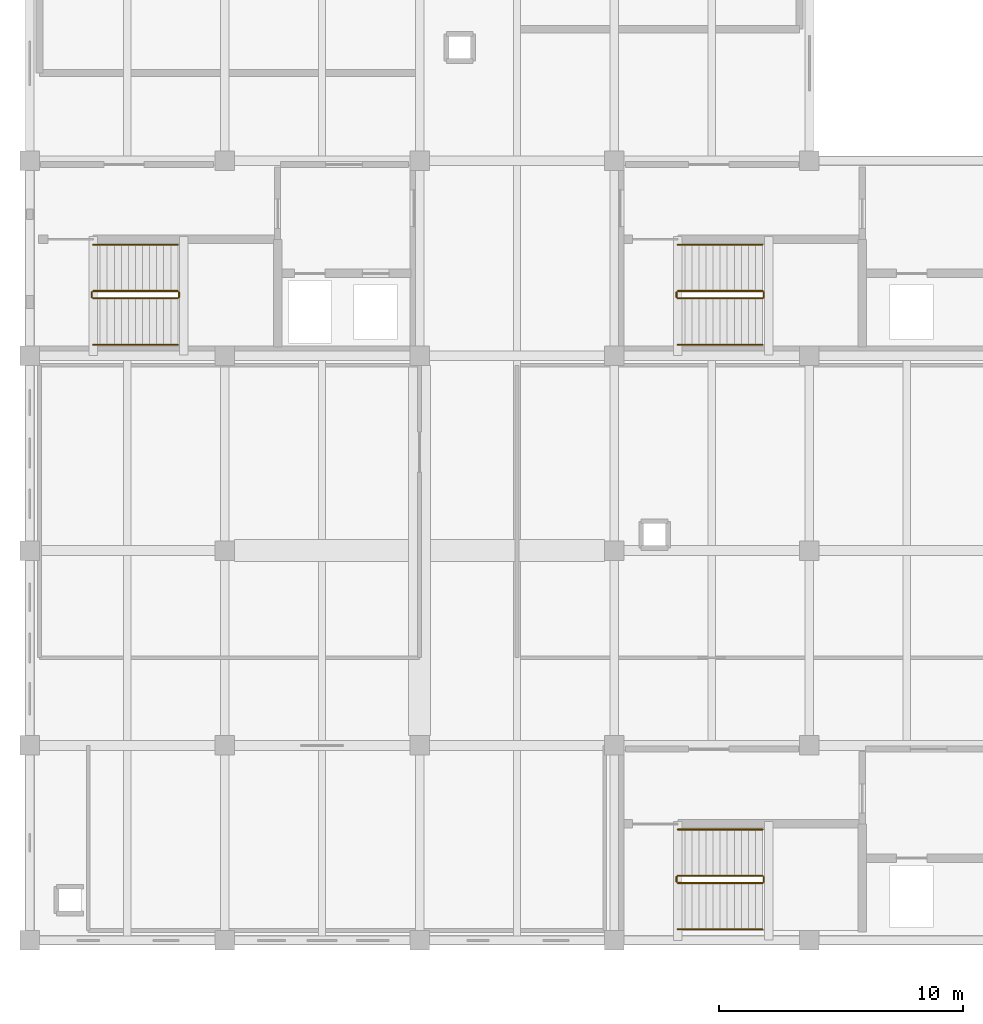
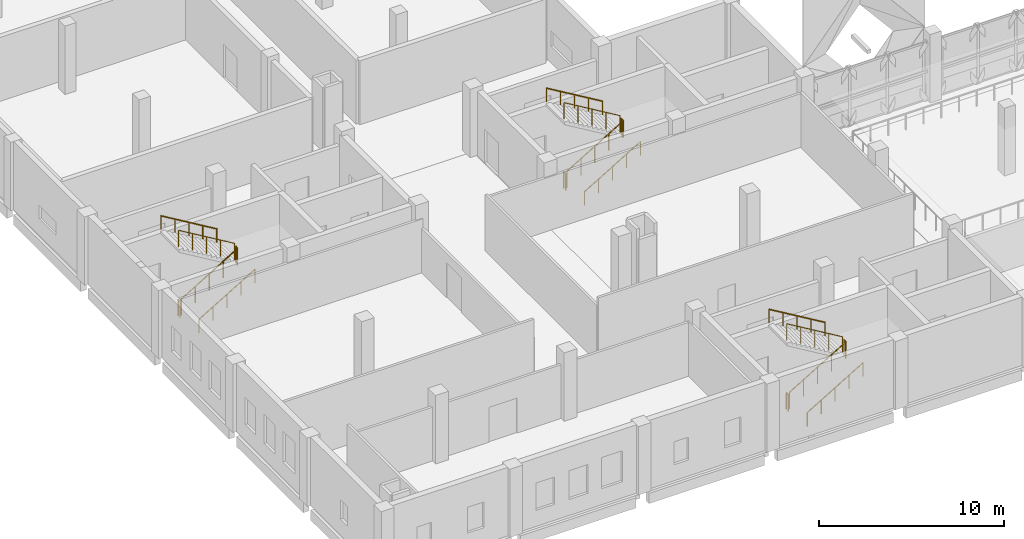
# One storey, part 29 of 37: 18 railings.
"""IFC4 building model written with IfcOpenShell, lengths in metres."""

from ifc_helpers import new_model, si_unit, direction, frame, origin, origin_2d, place, context, subcontext, project, spatial, circle, extrude, material, type_object, element, save


model = new_model("IFC4")

# Units and contexts
model_context = context("Model", 3, precision=1e-05, world=origin(), true_north=direction((0.0, 1.0)))
body_context = subcontext(model_context, "Body", "Model", "MODEL_VIEW")
ifc_project = project(units=[si_unit("LENGTHUNIT", "METRE"), si_unit("AREAUNIT", "SQUARE_METRE"), si_unit("VOLUMEUNIT", "CUBIC_METRE"), si_unit("PLANEANGLEUNIT", "RADIAN"), si_unit("MASSUNIT", "GRAM", prefix="KILO")], contexts=[model_context])

# Site, building, storey
site_placement = place(None, origin())
site = spatial("IfcSite", under=ifc_project, at=site_placement, CompositionType="ELEMENT")
building_placement = place(site_placement, origin())
building = spatial("IfcBuilding", under=site, at=building_placement, Name="Qorikala Patio Media Centre", CompositionType="ELEMENT")
storey_placement = place(building_placement, frame((0.0, 0.0, 14.39990234375)))
storey = spatial("IfcBuildingStorey", under=building, at=storey_placement, Name="L03", CompositionType="ELEMENT", Elevation=14.39990234375)

# Railings
ifc_material_1 = material(Name="Wrought Bronze and Steel S355", Category="steel")
railing_type_1 = type_object("IfcRailingType", Name="RL-GUARD-110", PredefinedType="GUARDRAIL", material=ifc_material_1)
railing_1_placement = place(storey_placement, frame((29.60009765625, 5.35009765625, 0.173095703125)))
element("IfcRailing", 1, at=railing_1_placement, inside=storey, type_object=railing_type_1, Name="L03 ST-1 stair guard 1", PredefinedType="GUARDRAIL", context=body_context, shape_type="SweptSolid", body=[
    extrude(circle(Radius=0.02392578125, at=origin_2d()), frame((0.0, 0.0, 1.076171875), z_axis=(0.858697190188, 0.0, 0.512483302717), x_axis=(0.0, 1.0, 0.0)), (0.0, 0.0, 1.0), 4.052734375),
    extrude(circle(Radius=0.02099609375, at=origin_2d()), origin(), (0.0, 0.0, 1.0), 1.052001953125),
    extrude(circle(Radius=0.02099609375, at=origin_2d()), frame((0.8701171875, 0.0, 0.519287109375)), (0.0, 0.0, 1.0), 1.052001953125),
    extrude(circle(Radius=0.02099609375, at=origin_2d()), frame((1.739990234375, 0.0, 1.03857421875)), (0.0, 0.0, 1.0), 1.052001953125),
    extrude(circle(Radius=0.02099609375, at=origin_2d()), frame((2.60986328125, 0.0, 1.5576171875)), (0.0, 0.0, 1.0), 1.052001953125),
    extrude(circle(Radius=0.02099609375, at=origin_2d()), frame((3.47998046875, 0.0, 2.076904296875)), (0.0, 0.0, 1.0), 1.052001953125),
])
railing_2_placement = place(storey_placement, frame((33.1298828125, 5.39990234375, 2.25)))
element("IfcRailing", 2, at=railing_2_placement, inside=storey, type_object=railing_type_1, Name="L03 ST-1 stair guard 2", PredefinedType="GUARDRAIL", context=body_context, shape_type="SweptSolid", body=[
    extrude(circle(Radius=0.02392578125, at=origin_2d()), frame((0.0, 0.0, 1.076171875), z_axis=(0.0, 1.0, 0.0), x_axis=(-1.0, 0.0, 0.0)), (0.0, 0.0, 1.0), 0.2001953125),
    extrude(circle(Radius=0.02099609375, at=origin_2d()), origin(), (0.0, 0.0, 1.0), 1.052001953125),
    extrude(circle(Radius=0.02099609375, at=origin_2d()), frame((0.0, 0.2001953125, 0.0)), (0.0, 0.0, 1.0), 1.052001953125),
])
railing_3_placement = place(storey_placement, frame((33.080078125, 5.64990234375, 2.423095703125)))
element("IfcRailing", 3, at=railing_3_placement, inside=storey, type_object=railing_type_1, Name="L03 ST-1 stair guard 3", PredefinedType="GUARDRAIL", context=body_context, shape_type="SweptSolid", body=[
    extrude(circle(Radius=0.02392578125, at=origin_2d()), frame((0.0, 0.0, 1.076171875), z_axis=(-0.858697190188, 0.0, 0.512483302717), x_axis=(0.0, -1.0, 0.0)), (0.0, 0.0, 1.0), 4.052734375),
    extrude(circle(Radius=0.02099609375, at=origin_2d()), origin(), (0.0, 0.0, 1.0), 1.052001953125),
    extrude(circle(Radius=0.02099609375, at=origin_2d()), frame((-0.8701171875, 0.0, 0.519287109375)), (0.0, 0.0, 1.0), 1.052001953125),
    extrude(circle(Radius=0.02099609375, at=origin_2d()), frame((-1.739990234375, 0.0, 1.03857421875)), (0.0, 0.0, 1.0), 1.052001953125),
    extrude(circle(Radius=0.02099609375, at=origin_2d()), frame((-2.60986328125, 0.0, 1.5576171875)), (0.0, 0.0, 1.0), 1.052001953125),
    extrude(circle(Radius=0.02099609375, at=origin_2d()), frame((-3.47998046875, 0.0, 2.076904296875)), (0.0, 0.0, 1.0), 1.052001953125),
])
railing_4_placement = place(storey_placement, frame((29.550048828125, 5.39990234375, 0.0)))
element("IfcRailing", 4, at=railing_4_placement, inside=storey, type_object=railing_type_1, Name="L03 ST-1 stair guard 4", PredefinedType="GUARDRAIL", context=body_context, shape_type="SweptSolid", body=[
    extrude(circle(Radius=0.02392578125, at=origin_2d()), frame((0.0, 0.0, 1.076171875), z_axis=(0.0, 1.0, 0.0), x_axis=(-1.0, 0.0, 0.0)), (0.0, 0.0, 1.0), 0.2001953125),
    extrude(circle(Radius=0.02099609375, at=origin_2d()), origin(), (0.0, 0.0, 1.0), 1.052001953125),
    extrude(circle(Radius=0.02099609375, at=origin_2d()), frame((0.0, 0.2001953125, 0.0)), (0.0, 0.0, 1.0), 1.052001953125),
])
railing_5_placement = place(storey_placement, frame((5.60009765625, 29.35009765625, 0.173095703125)))
element("IfcRailing", 5, at=railing_5_placement, inside=storey, type_object=railing_type_1, Name="L03 ST-2 stair guard 1", PredefinedType="GUARDRAIL", context=body_context, shape_type="SweptSolid", body=[
    extrude(circle(Radius=0.02392578125, at=origin_2d()), frame((0.0, 0.0, 1.076171875), z_axis=(0.858697190188, 0.0, 0.512483302717), x_axis=(0.0, 1.0, 0.0)), (0.0, 0.0, 1.0), 4.052734375),
    extrude(circle(Radius=0.02099609375, at=origin_2d()), origin(), (0.0, 0.0, 1.0), 1.052001953125),
    extrude(circle(Radius=0.02099609375, at=origin_2d()), frame((0.8701171875, 0.0, 0.519287109375)), (0.0, 0.0, 1.0), 1.052001953125),
    extrude(circle(Radius=0.02099609375, at=origin_2d()), frame((1.739990234375, 0.0, 1.03857421875)), (0.0, 0.0, 1.0), 1.052001953125),
    extrude(circle(Radius=0.02099609375, at=origin_2d()), frame((2.60986328125, 0.0, 1.5576171875)), (0.0, 0.0, 1.0), 1.052001953125),
    extrude(circle(Radius=0.02099609375, at=origin_2d()), frame((3.47998046875, 0.0, 2.076904296875)), (0.0, 0.0, 1.0), 1.052001953125),
])
railing_6_placement = place(storey_placement, frame((9.1298828125, 29.39990234375, 2.25)))
element("IfcRailing", 6, at=railing_6_placement, inside=storey, type_object=railing_type_1, Name="L03 ST-2 stair guard 2", PredefinedType="GUARDRAIL", context=body_context, shape_type="SweptSolid", body=[
    extrude(circle(Radius=0.02392578125, at=origin_2d()), frame((0.0, 0.0, 1.076171875), z_axis=(0.0, 1.0, 0.0), x_axis=(-1.0, 0.0, 0.0)), (0.0, 0.0, 1.0), 0.2001953125),
    extrude(circle(Radius=0.02099609375, at=origin_2d()), origin(), (0.0, 0.0, 1.0), 1.052001953125),
    extrude(circle(Radius=0.02099609375, at=origin_2d()), frame((0.0, 0.2001953125, 0.0)), (0.0, 0.0, 1.0), 1.052001953125),
])
railing_7_placement = place(storey_placement, frame((9.080078125, 29.64990234375, 2.423095703125)))
element("IfcRailing", 7, at=railing_7_placement, inside=storey, type_object=railing_type_1, Name="L03 ST-2 stair guard 3", PredefinedType="GUARDRAIL", context=body_context, shape_type="SweptSolid", body=[
    extrude(circle(Radius=0.02392578125, at=origin_2d()), frame((0.0, 0.0, 1.076171875), z_axis=(-0.858697190188, 0.0, 0.512483302717), x_axis=(0.0, -1.0, 0.0)), (0.0, 0.0, 1.0), 4.052734375),
    extrude(circle(Radius=0.02099609375, at=origin_2d()), origin(), (0.0, 0.0, 1.0), 1.052001953125),
    extrude(circle(Radius=0.02099609375, at=origin_2d()), frame((-0.8701171875, 0.0, 0.519287109375)), (0.0, 0.0, 1.0), 1.052001953125),
    extrude(circle(Radius=0.02099609375, at=origin_2d()), frame((-1.739990234375, 0.0, 1.03857421875)), (0.0, 0.0, 1.0), 1.052001953125),
    extrude(circle(Radius=0.02099609375, at=origin_2d()), frame((-2.60986328125, 0.0, 1.5576171875)), (0.0, 0.0, 1.0), 1.052001953125),
    extrude(circle(Radius=0.02099609375, at=origin_2d()), frame((-3.47998046875, 0.0, 2.076904296875)), (0.0, 0.0, 1.0), 1.052001953125),
])
railing_8_placement = place(storey_placement, frame((5.550048828125, 29.39990234375, 0.0)))
element("IfcRailing", 8, at=railing_8_placement, inside=storey, type_object=railing_type_1, Name="L03 ST-2 stair guard 4", PredefinedType="GUARDRAIL", context=body_context, shape_type="SweptSolid", body=[
    extrude(circle(Radius=0.02392578125, at=origin_2d()), frame((0.0, 0.0, 1.076171875), z_axis=(0.0, 1.0, 0.0), x_axis=(-1.0, 0.0, 0.0)), (0.0, 0.0, 1.0), 0.2001953125),
    extrude(circle(Radius=0.02099609375, at=origin_2d()), origin(), (0.0, 0.0, 1.0), 1.052001953125),
    extrude(circle(Radius=0.02099609375, at=origin_2d()), frame((0.0, 0.2001953125, 0.0)), (0.0, 0.0, 1.0), 1.052001953125),
])
railing_9_placement = place(storey_placement, frame((29.60009765625, 29.35009765625, 0.173095703125)))
element("IfcRailing", 9, at=railing_9_placement, inside=storey, type_object=railing_type_1, Name="L03 ST-5 stair guard 1", PredefinedType="GUARDRAIL", context=body_context, shape_type="SweptSolid", body=[
    extrude(circle(Radius=0.02392578125, at=origin_2d()), frame((0.0, 0.0, 1.076171875), z_axis=(0.858697190188, 0.0, 0.512483302717), x_axis=(0.0, 1.0, 0.0)), (0.0, 0.0, 1.0), 4.052734375),
    extrude(circle(Radius=0.02099609375, at=origin_2d()), origin(), (0.0, 0.0, 1.0), 1.052001953125),
    extrude(circle(Radius=0.02099609375, at=origin_2d()), frame((0.8701171875, 0.0, 0.519287109375)), (0.0, 0.0, 1.0), 1.052001953125),
    extrude(circle(Radius=0.02099609375, at=origin_2d()), frame((1.739990234375, 0.0, 1.03857421875)), (0.0, 0.0, 1.0), 1.052001953125),
    extrude(circle(Radius=0.02099609375, at=origin_2d()), frame((2.60986328125, 0.0, 1.5576171875)), (0.0, 0.0, 1.0), 1.052001953125),
    extrude(circle(Radius=0.02099609375, at=origin_2d()), frame((3.47998046875, 0.0, 2.076904296875)), (0.0, 0.0, 1.0), 1.052001953125),
])
railing_10_placement = place(storey_placement, frame((33.1298828125, 29.39990234375, 2.25)))
element("IfcRailing", 10, at=railing_10_placement, inside=storey, type_object=railing_type_1, Name="L03 ST-5 stair guard 2", PredefinedType="GUARDRAIL", context=body_context, shape_type="SweptSolid", body=[
    extrude(circle(Radius=0.02392578125, at=origin_2d()), frame((0.0, 0.0, 1.076171875), z_axis=(0.0, 1.0, 0.0), x_axis=(-1.0, 0.0, 0.0)), (0.0, 0.0, 1.0), 0.2001953125),
    extrude(circle(Radius=0.02099609375, at=origin_2d()), origin(), (0.0, 0.0, 1.0), 1.052001953125),
    extrude(circle(Radius=0.02099609375, at=origin_2d()), frame((0.0, 0.2001953125, 0.0)), (0.0, 0.0, 1.0), 1.052001953125),
])
railing_11_placement = place(storey_placement, frame((33.080078125, 29.64990234375, 2.423095703125)))
element("IfcRailing", 11, at=railing_11_placement, inside=storey, type_object=railing_type_1, Name="L03 ST-5 stair guard 3", PredefinedType="GUARDRAIL", context=body_context, shape_type="SweptSolid", body=[
    extrude(circle(Radius=0.02392578125, at=origin_2d()), frame((0.0, 0.0, 1.076171875), z_axis=(-0.858697190188, 0.0, 0.512483302717), x_axis=(0.0, -1.0, 0.0)), (0.0, 0.0, 1.0), 4.052734375),
    extrude(circle(Radius=0.02099609375, at=origin_2d()), origin(), (0.0, 0.0, 1.0), 1.052001953125),
    extrude(circle(Radius=0.02099609375, at=origin_2d()), frame((-0.8701171875, 0.0, 0.519287109375)), (0.0, 0.0, 1.0), 1.052001953125),
    extrude(circle(Radius=0.02099609375, at=origin_2d()), frame((-1.739990234375, 0.0, 1.03857421875)), (0.0, 0.0, 1.0), 1.052001953125),
    extrude(circle(Radius=0.02099609375, at=origin_2d()), frame((-2.60986328125, 0.0, 1.5576171875)), (0.0, 0.0, 1.0), 1.052001953125),
    extrude(circle(Radius=0.02099609375, at=origin_2d()), frame((-3.47998046875, 0.0, 2.076904296875)), (0.0, 0.0, 1.0), 1.052001953125),
])
railing_12_placement = place(storey_placement, frame((29.550048828125, 29.39990234375, 0.0)))
element("IfcRailing", 12, at=railing_12_placement, inside=storey, type_object=railing_type_1, Name="L03 ST-5 stair guard 4", PredefinedType="GUARDRAIL", context=body_context, shape_type="SweptSolid", body=[
    extrude(circle(Radius=0.02392578125, at=origin_2d()), frame((0.0, 0.0, 1.076171875), z_axis=(0.0, 1.0, 0.0), x_axis=(-1.0, 0.0, 0.0)), (0.0, 0.0, 1.0), 0.2001953125),
    extrude(circle(Radius=0.02099609375, at=origin_2d()), origin(), (0.0, 0.0, 1.0), 1.052001953125),
    extrude(circle(Radius=0.02099609375, at=origin_2d()), frame((0.0, 0.2001953125, 0.0)), (0.0, 0.0, 1.0), 1.052001953125),
])
ifc_material_2 = material(Name="Brushed Bronze Tubular Steel S355", Category="steel")
railing_type_2 = type_object("IfcRailingType", Name="RL-HAND-090", PredefinedType="HANDRAIL", material=ifc_material_2)
railing_13_placement = place(storey_placement, frame((29.60009765625, 3.449951171875, 0.173095703125)))
element("IfcRailing", 13, at=railing_13_placement, inside=storey, type_object=railing_type_2, Name="L03 ST-1 stair handrail 1", PredefinedType="HANDRAIL", context=body_context, shape_type="SweptSolid", body=[
    extrude(circle(Radius=0.02392578125, at=origin_2d()), frame((0.0, 0.0, 0.8759765625), z_axis=(0.858697190188, 0.0, 0.512483302717), x_axis=(0.0, 1.0, 0.0)), (0.0, 0.0, 1.0), 4.052734375),
    extrude(circle(Radius=0.02099609375, at=origin_2d()), origin(), (0.0, 0.0, 1.0), 0.851806640625),
    extrude(circle(Radius=0.02099609375, at=origin_2d()), frame((0.8701171875, 0.0, 0.519287109375)), (0.0, 0.0, 1.0), 0.851806640625),
    extrude(circle(Radius=0.02099609375, at=origin_2d()), frame((1.739990234375, 0.0, 1.03857421875)), (0.0, 0.0, 1.0), 0.851806640625),
    extrude(circle(Radius=0.02099609375, at=origin_2d()), frame((2.60986328125, 0.0, 1.5576171875)), (0.0, 0.0, 1.0), 0.851806640625),
    extrude(circle(Radius=0.02099609375, at=origin_2d()), frame((3.47998046875, 0.0, 2.076904296875)), (0.0, 0.0, 1.0), 0.851806640625),
])
railing_14_placement = place(storey_placement, frame((33.080078125, 7.550048828125, 2.423095703125)))
element("IfcRailing", 14, at=railing_14_placement, inside=storey, type_object=railing_type_2, Name="L03 ST-1 stair handrail 2", PredefinedType="HANDRAIL", context=body_context, shape_type="SweptSolid", body=[
    extrude(circle(Radius=0.02392578125, at=origin_2d()), frame((0.0, 0.0, 0.8759765625), z_axis=(-0.858697190188, 0.0, 0.512483302717), x_axis=(0.0, -1.0, 0.0)), (0.0, 0.0, 1.0), 4.052734375),
    extrude(circle(Radius=0.02099609375, at=origin_2d()), origin(), (0.0, 0.0, 1.0), 0.851806640625),
    extrude(circle(Radius=0.02099609375, at=origin_2d()), frame((-0.8701171875, 0.0, 0.519287109375)), (0.0, 0.0, 1.0), 0.851806640625),
    extrude(circle(Radius=0.02099609375, at=origin_2d()), frame((-1.739990234375, 0.0, 1.03857421875)), (0.0, 0.0, 1.0), 0.851806640625),
    extrude(circle(Radius=0.02099609375, at=origin_2d()), frame((-2.60986328125, 0.0, 1.5576171875)), (0.0, 0.0, 1.0), 0.851806640625),
    extrude(circle(Radius=0.02099609375, at=origin_2d()), frame((-3.47998046875, 0.0, 2.076904296875)), (0.0, 0.0, 1.0), 0.851806640625),
])
railing_15_placement = place(storey_placement, frame((5.60009765625, 27.449951171875, 0.173095703125)))
element("IfcRailing", 15, at=railing_15_placement, inside=storey, type_object=railing_type_2, Name="L03 ST-2 stair handrail 1", PredefinedType="HANDRAIL", context=body_context, shape_type="SweptSolid", body=[
    extrude(circle(Radius=0.02392578125, at=origin_2d()), frame((0.0, 0.0, 0.8759765625), z_axis=(0.858697190188, 0.0, 0.512483302717), x_axis=(0.0, 1.0, 0.0)), (0.0, 0.0, 1.0), 4.052734375),
    extrude(circle(Radius=0.02099609375, at=origin_2d()), origin(), (0.0, 0.0, 1.0), 0.851806640625),
    extrude(circle(Radius=0.02099609375, at=origin_2d()), frame((0.8701171875, 0.0, 0.519287109375)), (0.0, 0.0, 1.0), 0.851806640625),
    extrude(circle(Radius=0.02099609375, at=origin_2d()), frame((1.739990234375, 0.0, 1.03857421875)), (0.0, 0.0, 1.0), 0.851806640625),
    extrude(circle(Radius=0.02099609375, at=origin_2d()), frame((2.60986328125, 0.0, 1.5576171875)), (0.0, 0.0, 1.0), 0.851806640625),
    extrude(circle(Radius=0.02099609375, at=origin_2d()), frame((3.47998046875, 0.0, 2.076904296875)), (0.0, 0.0, 1.0), 0.851806640625),
])
railing_16_placement = place(storey_placement, frame((9.080078125, 31.550048828125, 2.423095703125)))
element("IfcRailing", 16, at=railing_16_placement, inside=storey, type_object=railing_type_2, Name="L03 ST-2 stair handrail 2", PredefinedType="HANDRAIL", context=body_context, shape_type="SweptSolid", body=[
    extrude(circle(Radius=0.02392578125, at=origin_2d()), frame((0.0, 0.0, 0.8759765625), z_axis=(-0.858697190188, 0.0, 0.512483302717), x_axis=(0.0, -1.0, 0.0)), (0.0, 0.0, 1.0), 4.052734375),
    extrude(circle(Radius=0.02099609375, at=origin_2d()), origin(), (0.0, 0.0, 1.0), 0.851806640625),
    extrude(circle(Radius=0.02099609375, at=origin_2d()), frame((-0.8701171875, 0.0, 0.519287109375)), (0.0, 0.0, 1.0), 0.851806640625),
    extrude(circle(Radius=0.02099609375, at=origin_2d()), frame((-1.739990234375, 0.0, 1.03857421875)), (0.0, 0.0, 1.0), 0.851806640625),
    extrude(circle(Radius=0.02099609375, at=origin_2d()), frame((-2.60986328125, 0.0, 1.5576171875)), (0.0, 0.0, 1.0), 0.851806640625),
    extrude(circle(Radius=0.02099609375, at=origin_2d()), frame((-3.47998046875, 0.0, 2.076904296875)), (0.0, 0.0, 1.0), 0.851806640625),
])
railing_17_placement = place(storey_placement, frame((29.60009765625, 27.449951171875, 0.173095703125)))
element("IfcRailing", 17, at=railing_17_placement, inside=storey, type_object=railing_type_2, Name="L03 ST-5 stair handrail 1", PredefinedType="HANDRAIL", context=body_context, shape_type="SweptSolid", body=[
    extrude(circle(Radius=0.02392578125, at=origin_2d()), frame((0.0, 0.0, 0.8759765625), z_axis=(0.858697190188, 0.0, 0.512483302717), x_axis=(0.0, 1.0, 0.0)), (0.0, 0.0, 1.0), 4.052734375),
    extrude(circle(Radius=0.02099609375, at=origin_2d()), origin(), (0.0, 0.0, 1.0), 0.851806640625),
    extrude(circle(Radius=0.02099609375, at=origin_2d()), frame((0.8701171875, 0.0, 0.519287109375)), (0.0, 0.0, 1.0), 0.851806640625),
    extrude(circle(Radius=0.02099609375, at=origin_2d()), frame((1.739990234375, 0.0, 1.03857421875)), (0.0, 0.0, 1.0), 0.851806640625),
    extrude(circle(Radius=0.02099609375, at=origin_2d()), frame((2.60986328125, 0.0, 1.5576171875)), (0.0, 0.0, 1.0), 0.851806640625),
    extrude(circle(Radius=0.02099609375, at=origin_2d()), frame((3.47998046875, 0.0, 2.076904296875)), (0.0, 0.0, 1.0), 0.851806640625),
])
railing_18_placement = place(storey_placement, frame((33.080078125, 31.550048828125, 2.423095703125)))
element("IfcRailing", 18, at=railing_18_placement, inside=storey, type_object=railing_type_2, Name="L03 ST-5 stair handrail 2", PredefinedType="HANDRAIL", context=body_context, shape_type="SweptSolid", body=[
    extrude(circle(Radius=0.02392578125, at=origin_2d()), frame((0.0, 0.0, 0.8759765625), z_axis=(-0.858697190188, 0.0, 0.512483302717), x_axis=(0.0, -1.0, 0.0)), (0.0, 0.0, 1.0), 4.052734375),
    extrude(circle(Radius=0.02099609375, at=origin_2d()), origin(), (0.0, 0.0, 1.0), 0.851806640625),
    extrude(circle(Radius=0.02099609375, at=origin_2d()), frame((-0.8701171875, 0.0, 0.519287109375)), (0.0, 0.0, 1.0), 0.851806640625),
    extrude(circle(Radius=0.02099609375, at=origin_2d()), frame((-1.739990234375, 0.0, 1.03857421875)), (0.0, 0.0, 1.0), 0.851806640625),
    extrude(circle(Radius=0.02099609375, at=origin_2d()), frame((-2.60986328125, 0.0, 1.5576171875)), (0.0, 0.0, 1.0), 0.851806640625),
    extrude(circle(Radius=0.02099609375, at=origin_2d()), frame((-3.47998046875, 0.0, 2.076904296875)), (0.0, 0.0, 1.0), 0.851806640625),
])

save(model, "model.ifc")
